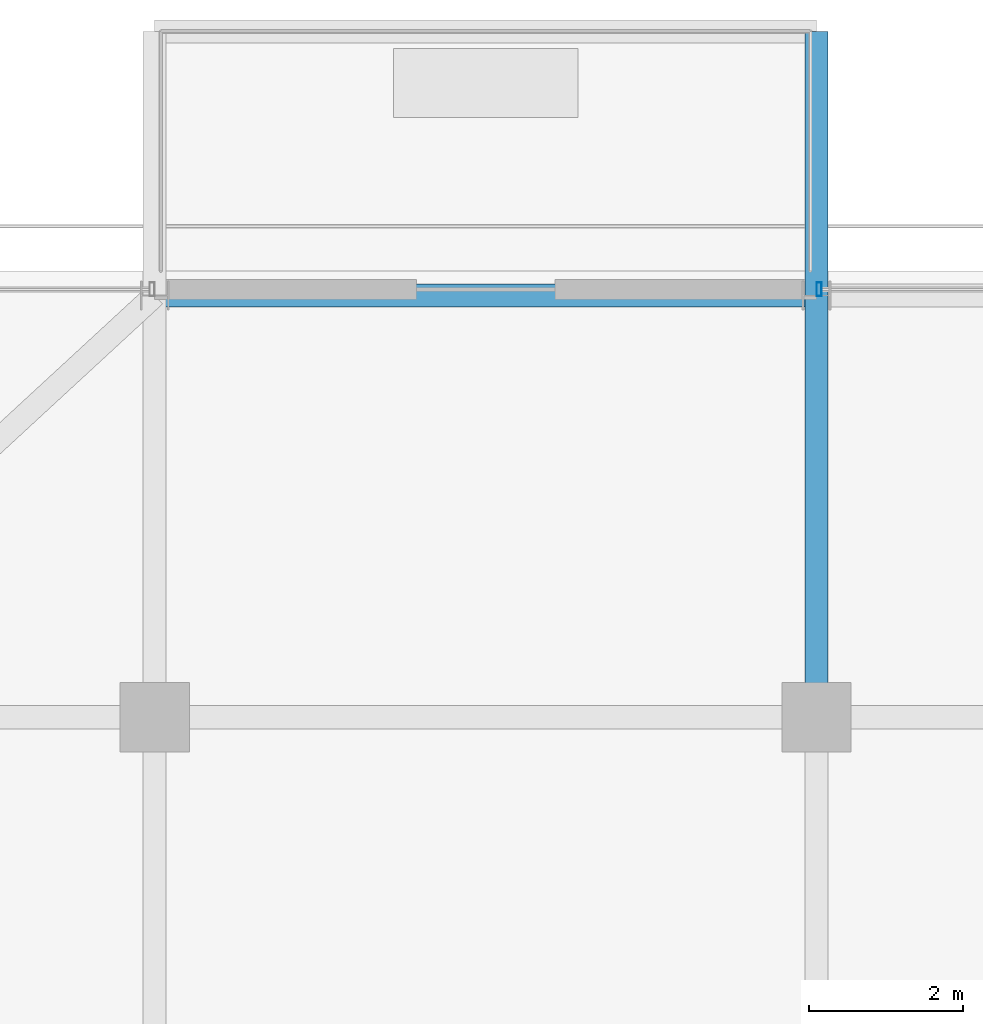
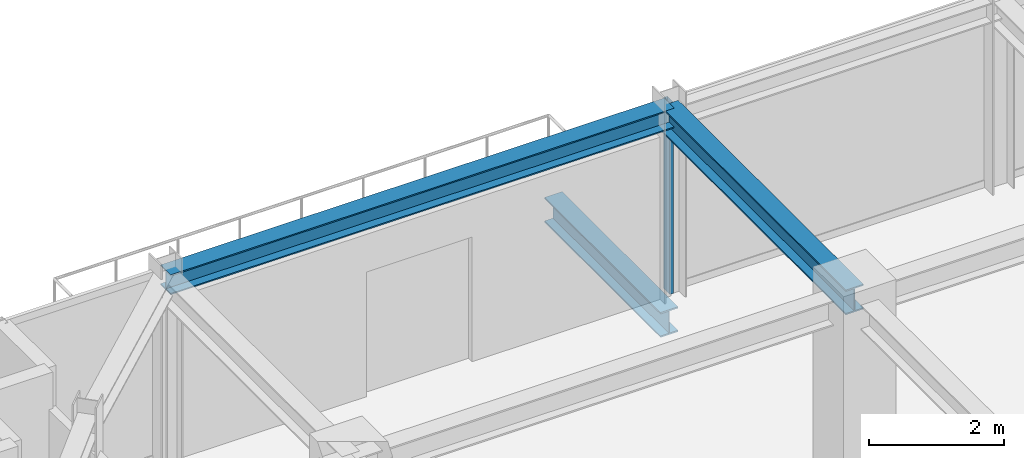
# One storey, part 18 of 32: 3 beams, 1 member, 1 element without a shape of its own.
"""IFC4 building model written with IfcOpenShell, lengths in metres."""

from ifc_helpers import new_model, si_unit, direction, frame, origin, origin_2d, place, context, subcontext, project, spatial, hollow_rectangle, i_section, extrude, source, transform, mapped, material, material_profile, profile_set, type_object, element, aggregate, save


model = new_model("IFC4")

# Units and contexts
model_context = context("Model", 3, precision=1e-05, world=origin(), true_north=direction((0.0, 1.0)))
body_context = subcontext(model_context, "Body", "Model", "MODEL_VIEW")
ifc_project = project(units=[si_unit("LENGTHUNIT", "METRE"), si_unit("AREAUNIT", "SQUARE_METRE"), si_unit("VOLUMEUNIT", "CUBIC_METRE"), si_unit("PLANEANGLEUNIT", "RADIAN"), si_unit("MASSUNIT", "GRAM", prefix="KILO")], contexts=[model_context])

# Site, building, storey
site_placement = place(None, origin())
site = spatial("IfcSite", under=ifc_project, at=site_placement, CompositionType="ELEMENT")
building_placement = place(site_placement, origin())
building = spatial("IfcBuilding", under=site, at=building_placement, Name="Nahalor Promenade Grand Hotel", CompositionType="ELEMENT")
storey_placement = place(building_placement, frame((0.0, 0.0, 266.300048828125)))
storey = spatial("IfcBuildingStorey", under=building, at=storey_placement, Name="L68", CompositionType="ELEMENT", Elevation=266.300048828125)

# Beams
ifc_material_1 = material(Name="Steel S355JR", Category="steel")
ifc_material_profile_1 = material_profile(ifc_material_1, i_section(OverallWidth=0.3, OverallDepth=0.45, WebThickness=0.014, FlangeThickness=0.026, at=origin_2d()), Name="HEB 450")
ifc_profile_set_1 = profile_set([ifc_material_profile_1], Name="Steel S355JR")
beam_type_1 = type_object("IfcBeamType", Name="Beam-Outrigger-HEB450", PredefinedType="BEAM", material=ifc_profile_set_1)
shared_shape_1 = source(origin(), body_context, "Body", "SweptSolid", [
    extrude(i_section(OverallWidth=0.3, OverallDepth=0.45, WebThickness=0.014, FlangeThickness=0.026, at=origin_2d()), origin(), (0.0, 0.0, 1.0), 3.429931640625),
])
beam_1_placement = place(storey_placement, frame((-8.39990234375, 22.47998046875, -0.505126953125), z_axis=(0.0, 1.0, 0.0), x_axis=(-1.0, 0.0, 0.0)))
element("IfcBeam", 1, at=beam_1_placement, inside=storey, type_object=beam_type_1, Name="BM-L68-BC-01-2", PredefinedType="BEAM", context=body_context, shape_type="MappedRepresentation", body=[
    mapped(shared_shape_1, transform((0.0, 0.0, 0.0), scale=1.0)),
])
ifc_material_profile_2 = material_profile(ifc_material_1, i_section(OverallWidth=0.3, OverallDepth=0.45, WebThickness=0.014, FlangeThickness=0.026, at=origin_2d()), Name="HEB 450")
ifc_profile_set_2 = profile_set([ifc_material_profile_2], Name="Steel S355JR")
beam_type_2 = type_object("IfcBeamType", Name="Beam-Girder-HEB450", PredefinedType="BEAM", material=ifc_profile_set_2)
shared_shape_2 = source(origin(), body_context, "Body", "SweptSolid", [
    extrude(i_section(OverallWidth=0.3, OverallDepth=0.45, WebThickness=0.014, FlangeThickness=0.026, at=origin_2d()), origin(), (0.0, 0.0, 1.0), 5.47998046875),
])
beam_2_placement = place(storey_placement, frame((-8.39990234375, 17.0, 3.224853515625), z_axis=(0.0, 1.0, 0.0), x_axis=(-1.0, 0.0, 0.0)))
element("IfcBeam", 2, at=beam_2_placement, inside=storey, type_object=beam_type_2, Name="BM-L68-GY-1-4", PredefinedType="BEAM", context=body_context, shape_type="MappedRepresentation", body=[
    mapped(shared_shape_2, transform((0.0, 0.0, 0.0), scale=1.0)),
])
ifc_material_profile_3 = material_profile(ifc_material_1, i_section(OverallWidth=0.3, OverallDepth=0.36, WebThickness=0.0125, FlangeThickness=0.0225, at=origin_2d()), Name="HEB 360")
ifc_profile_set_3 = profile_set([ifc_material_profile_3], Name="Steel S355JR")
beam_type_3 = type_object("IfcBeamType", Name="Beam-Spandrel-HEB360", PredefinedType="SPANDREL", material=ifc_profile_set_3)
shared_shape_3 = source(origin(), body_context, "Body", "SweptSolid", [
    extrude(i_section(OverallWidth=0.3, OverallDepth=0.36, WebThickness=0.0125, FlangeThickness=0.0225, at=origin_2d()), origin(), (0.0, 0.0, 1.0), 8.60009765625),
])
beam_3_placement = place(storey_placement, frame((-17.0, 22.47998046875, 3.27001953125), z_axis=(1.0, 0.0, 0.0), x_axis=(0.0, 1.0, 0.0)))
element("IfcBeam", 3, at=beam_3_placement, inside=storey, type_object=beam_type_3, Name="BM-L68-SP-N-0", PredefinedType="SPANDREL", context=body_context, shape_type="MappedRepresentation", body=[
    mapped(shared_shape_3, transform((0.0, 0.0, 0.0), scale=1.0)),
])

# Curtain wall, member
ifc_material_2 = material(Name="Anodised Bronze Aluminium EN AW-6063 T6", Category="aluminium")
curtain_wall_type = type_object("IfcCurtainWallType", Name="CW2 Typical Hotel Flush Bronze Unitised Curtain Wall", PredefinedType="USERDEFINED", material=ifc_material_2)
curtain_wall_placement = place(storey_placement, origin())
curtain_wall = element("IfcCurtainWall", 4, at=curtain_wall_placement, inside=storey, type_object=curtain_wall_type, Name="L68 Curtain Wall CW-L68-N-3", ObjectType="UNITISED_CURTAIN_WALL", PredefinedType="USERDEFINED")
ifc_material_profile_4 = material_profile(ifc_material_2, hollow_rectangle(XDim=0.065, YDim=0.18, WallThickness=0.004, at=origin_2d()), Name="CWM 65x180x4")
ifc_profile_set_4 = profile_set([ifc_material_profile_4], Name="Anodised Bronze Aluminium EN AW-6063 T6")
member_type = type_object("IfcMemberType", Name="CWM2 Typical Bronze Mullion 65x180", PredefinedType="MULLION", material=ifc_profile_set_4)
shared_shape_4 = source(origin(), body_context, "Body", "SweptSolid", [
    extrude(hollow_rectangle(XDim=0.065, YDim=0.18, WallThickness=0.004, at=origin_2d()), origin(), (0.0, 0.0, 1.0), 3.449951171875),
])
member_placement = place(storey_placement, frame((-8.367431640625, 22.56005859375, 0.0), z_axis=(0.0, 0.0, 1.0), x_axis=(1.0, 0.0, 0.0)))
member = element("IfcMember", 5, at=member_placement, type_object=member_type, Name="CW-L68-N-3 Mullion 0", PredefinedType="MULLION", context=body_context, shape_type="MappedRepresentation", body=[
    mapped(shared_shape_4, transform((0.0, 0.0, 0.0), scale=1.0)),
])
aggregate(curtain_wall, [member])

save(model, "model.ifc")
